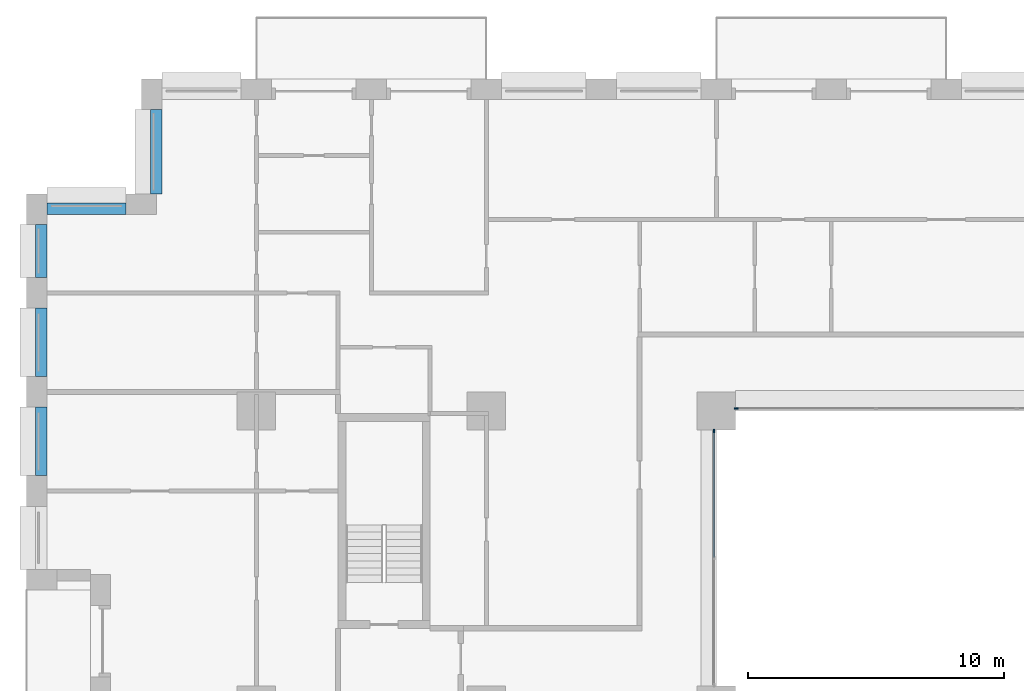
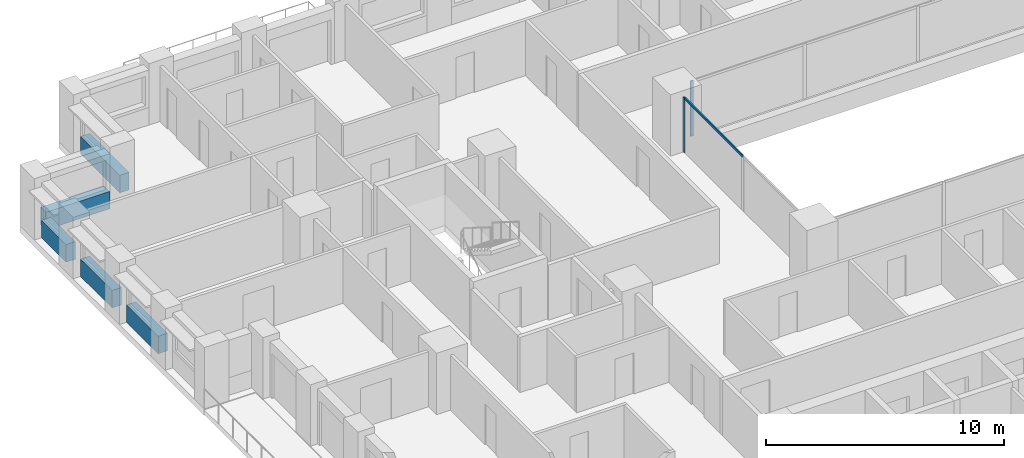
# One storey, part 5 of 20: 5 beams, 3 members, 2 elements without a shape of their own.
"""IFC4 building model written with IfcOpenShell, lengths in metres."""

from ifc_helpers import new_model, si_unit, direction, frame, origin, origin_2d, place, context, subcontext, project, spatial, rectangle, extrude, material, layer, layer_set, material_profile, profile_set, type_object, element, aggregate, save


model = new_model("IFC4")

# Units and contexts
model_context = context("Model", 3, precision=1e-05, world=origin(), true_north=direction((0.0, 1.0)))
body_context = subcontext(model_context, "Body", "Model", "MODEL_VIEW")
ifc_project = project(units=[si_unit("LENGTHUNIT", "METRE"), si_unit("AREAUNIT", "SQUARE_METRE"), si_unit("VOLUMEUNIT", "CUBIC_METRE"), si_unit("PLANEANGLEUNIT", "RADIAN"), si_unit("MASSUNIT", "GRAM", prefix="KILO")], contexts=[model_context])

# Site, building, storey
site_placement = place(None, origin())
site = spatial("IfcSite", under=ifc_project, at=site_placement, CompositionType="ELEMENT")
building_placement = place(site_placement, origin())
building = spatial("IfcBuilding", under=site, at=building_placement, Name="Brigalow Station Residences", CompositionType="ELEMENT")
storey_placement = place(building_placement, frame((0.0, 0.0, 63.60009765625)))
storey = spatial("IfcBuildingStorey", under=building, at=storey_placement, Name="L18", CompositionType="ELEMENT", Elevation=63.60009765625)

# Curtain wall, member
ifc_material_1 = material(Name="Aluminium", Category="aluminium")
ifc_layer = layer(ifc_material_1, 0.14990234375)
ifc_layer_set = layer_set([ifc_layer], Name="ATRIUM FIRE-RATED GLAZING CURTAIN WALL")
curtain_wall_type = type_object("IfcCurtainWallType", Name="ATRIUM FIRE-RATED GLAZING CURTAIN WALL", PredefinedType="NOTDEFINED", material=ifc_layer_set)
curtain_wall_1_placement = place(storey_placement, origin())
curtain_wall_1 = element("IfcCurtainWall", 1, at=curtain_wall_1_placement, inside=storey, type_object=curtain_wall_type, Name="L18/cw/atrium-N", PredefinedType="NOTDEFINED")
ifc_material_2 = material(Name="Aluminium", Category="aluminium")
ifc_material_profile_1 = material_profile(ifc_material_2, rectangle(XDim=0.06005859375, YDim=0.14990234375, at=origin_2d()), Name="ATRIUM FIRE-RATED GLAZING MULLION 60x150")
ifc_profile_set_1 = profile_set([ifc_material_profile_1], Name="Aluminium")
member_type_1 = type_object("IfcMemberType", Name="ATRIUM FIRE-RATED GLAZING MULLION 60x150", PredefinedType="MULLION", material=ifc_profile_set_1)
member_1_placement = place(storey_placement, frame((27.780029296875, 35.60009765625, 0.0), z_axis=(0.0, 0.0, 1.0), x_axis=(0.0, -1.0, 0.0)))
member_1 = element("IfcMember", 2, at=member_1_placement, type_object=member_type_1, Name="L18/cw/atrium-N/M03", PredefinedType="MULLION", context=body_context, shape_type="SweptSolid", body=[
    extrude(rectangle(XDim=0.06005859375, YDim=0.14990234375, at=origin_2d()), origin(), (0.0, 0.0, 1.0), 2.829833984375),
])
aggregate(curtain_wall_1, [member_1])

# Curtain wall, members
curtain_wall_2_placement = place(storey_placement, origin())
curtain_wall_2 = element("IfcCurtainWall", 3, at=curtain_wall_2_placement, inside=storey, type_object=curtain_wall_type, Name="L18/cw/atrium-W", PredefinedType="NOTDEFINED")
member_2_placement = place(storey_placement, frame((26.89990234375, 34.719970703125, 0.0), z_axis=(0.0, 0.0, 1.0), x_axis=(1.0, 0.0, 0.0)))
member_2 = element("IfcMember", 4, at=member_2_placement, type_object=member_type_1, Name="L18/cw/atrium-W/M00", PredefinedType="MULLION", context=body_context, shape_type="SweptSolid", body=[
    extrude(rectangle(XDim=0.06005859375, YDim=0.14990234375, at=origin_2d()), origin(), (0.0, 0.0, 1.0), 2.829833984375),
])
ifc_material_3 = material(Name="Aluminium", Category="aluminium")
ifc_material_profile_2 = material_profile(ifc_material_3, rectangle(XDim=0.06005859375, YDim=0.1201171875, at=origin_2d()), Name="ATRIUM FIRE-RATED GLAZING TRANSOM 60x120")
ifc_profile_set_2 = profile_set([ifc_material_profile_2], Name="Aluminium")
member_type_2 = type_object("IfcMemberType", Name="ATRIUM FIRE-RATED GLAZING TRANSOM 60x120", PredefinedType="USERDEFINED", material=ifc_profile_set_2)
member_3_placement = place(storey_placement, frame((26.89990234375, 34.68994140625, 2.7998046875), z_axis=(0.0, -1.0, 0.0), x_axis=(1.0, 0.0, 0.0)))
member_3 = element("IfcMember", 5, at=member_3_placement, type_object=member_type_2, Name="L18/cw/atrium-W/T00-00", ObjectType="TRANSOM", PredefinedType="USERDEFINED", context=body_context, shape_type="SweptSolid", body=[
    extrude(rectangle(XDim=0.06005859375, YDim=0.1201171875, at=origin_2d()), origin(), (0.0, 0.0, 1.0), 4.909912109375),
])
aggregate(curtain_wall_2, [member_2, member_3])

# Beams
ifc_material_4 = material(Name="Concrete C65", Category="concrete")
ifc_material_profile_3 = material_profile(ifc_material_4, rectangle(XDim=0.449951171875, YDim=0.89990234375, at=origin_2d()), Name="RC450x900")
ifc_profile_set_3 = profile_set([ifc_material_profile_3], Name="Concrete C65")
beam_type = type_object("IfcBeamType", Name="SPANDREL BEAM 450x900 C65", PredefinedType="SPANDREL", material=ifc_profile_set_3)
beam_1_placement = place(storey_placement, frame((5.074951171875, 47.300048828125, 0.449951171875), z_axis=(0.0, -1.0, 0.0), x_axis=(1.0, 0.0, 0.0)))
element("IfcBeam", 6, at=beam_1_placement, inside=storey, type_object=beam_type, Name="L18/spandrel/W-L18-40", PredefinedType="SPANDREL", context=body_context, shape_type="SweptSolid", body=[
    extrude(rectangle(XDim=0.449951171875, YDim=0.89990234375, at=origin_2d()), origin(), (0.0, 0.0, 1.0), 3.300048828125),
])
beam_2_placement = place(storey_placement, frame((3.89990234375, 43.425048828125, 0.449951171875), z_axis=(-1.0, 0.0, 0.0), x_axis=(0.0, -1.0, 0.0)))
element("IfcBeam", 7, at=beam_2_placement, inside=storey, type_object=beam_type, Name="L18/spandrel/W-L18-41", PredefinedType="SPANDREL", context=body_context, shape_type="SweptSolid", body=[
    extrude(rectangle(XDim=0.449951171875, YDim=0.89990234375, at=origin_2d()), origin(), (0.0, 0.0, 1.0), 3.099853515625),
])
beam_3_placement = place(storey_placement, frame((0.574951171875, 42.800048828125, 0.449951171875), z_axis=(0.0, -1.0, 0.0), x_axis=(1.0, 0.0, 0.0)))
element("IfcBeam", 8, at=beam_3_placement, inside=storey, type_object=beam_type, Name="L18/spandrel/W-L18-42", PredefinedType="SPANDREL", context=body_context, shape_type="SweptSolid", body=[
    extrude(rectangle(XDim=0.449951171875, YDim=0.89990234375, at=origin_2d()), origin(), (0.0, 0.0, 1.0), 2.074951171875),
])
for number, where, z_axis, x_axis, name in (
    (9, (0.574951171875, 39.52490234375, 0.449951171875), (0.0, -1.0, 0.0), (1.0, 0.0, 0.0), "L18/spandrel/W-L18-43"),
    (10, (0.574951171875, 35.64990234375, 0.449951171875), (0.0, -1.0, 0.0), (1.0, 0.0, 0.0), "L18/spandrel/W-L18-44"),
):
    element("IfcBeam", number, at=place(storey_placement, frame(where, z_axis=z_axis, x_axis=x_axis)), inside=storey, type_object=beam_type, Name=name, PredefinedType="SPANDREL", context=body_context, shape_type="SweptSolid", body=[
        extrude(rectangle(XDim=0.449951171875, YDim=0.89990234375, at=origin_2d()), origin(), (0.0, 0.0, 1.0), 2.6748046875),
    ])

save(model, "model.ifc")
